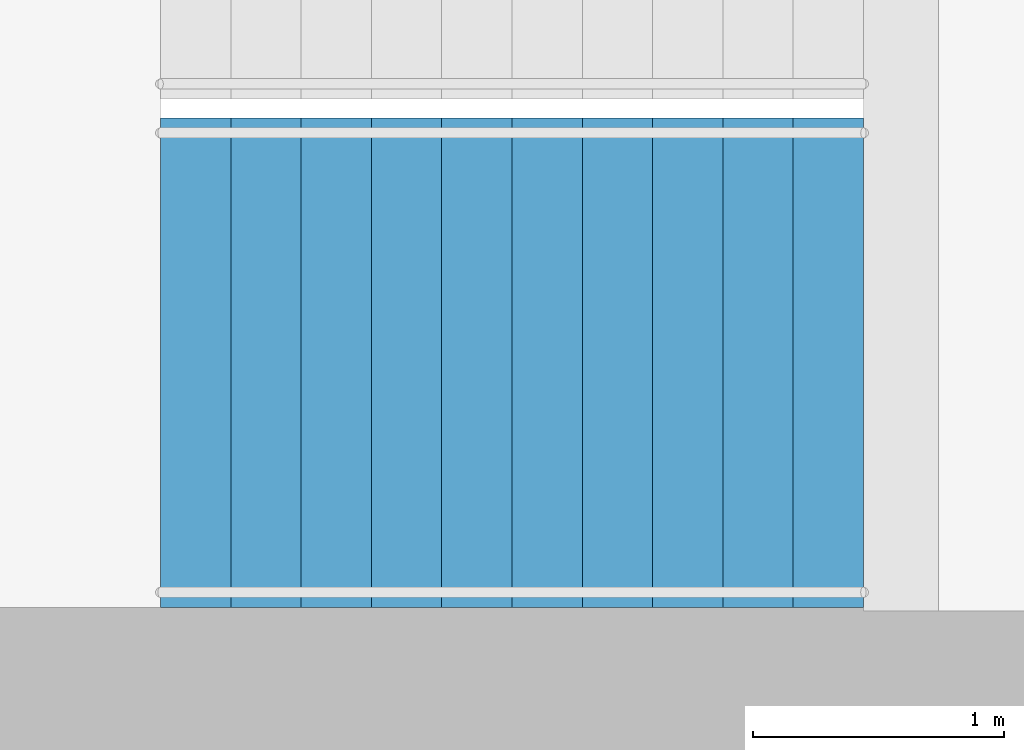
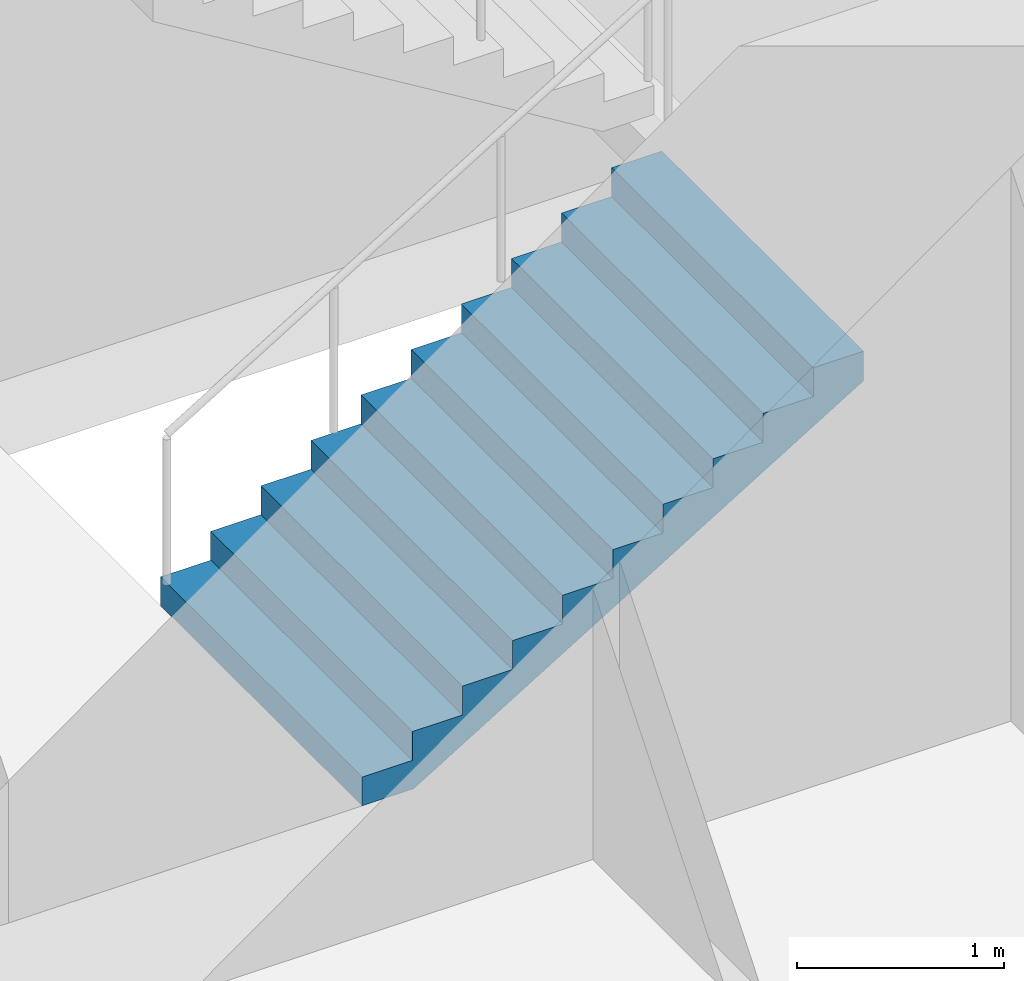
# One storey, part 20 of 25: 1 stair flight, 1 element without a shape of its own.
"""IFC4 building model written with IfcOpenShell, lengths in metres."""

from ifc_helpers import new_model, si_unit, direction, frame, origin, place, context, subcontext, project, spatial, triangles, material, type_object, element, aggregate, save


model = new_model("IFC4")

# Units and contexts
model_context = context("Model", 3, precision=1e-05, world=origin(), true_north=direction((0.0, 1.0)))
body_context = subcontext(model_context, "Body", "Model", "MODEL_VIEW")
ifc_project = project(units=[si_unit("LENGTHUNIT", "METRE"), si_unit("AREAUNIT", "SQUARE_METRE"), si_unit("VOLUMEUNIT", "CUBIC_METRE"), si_unit("PLANEANGLEUNIT", "RADIAN"), si_unit("MASSUNIT", "GRAM", prefix="KILO")], contexts=[model_context])

# Site, building, storey
site_placement = place(None, origin())
site = spatial("IfcSite", under=ifc_project, at=site_placement, CompositionType="ELEMENT")
building_placement = place(site_placement, origin())
building = spatial("IfcBuilding", under=site, at=building_placement, Name="Orbita Commons", CompositionType="ELEMENT")
storey_placement = place(building_placement, frame((0.0, 0.0, 84.39990234375)))
storey = spatial("IfcBuildingStorey", under=building, at=storey_placement, Name="L20", CompositionType="ELEMENT", Elevation=84.39990234375)

# Stair, stair flight
ifc_material_1 = material(Name="Precast concrete C40/50", Category="concrete")
stair_type = type_object("IfcStairType", Name="Exit stair S1 2 flights 11 risers 170", PredefinedType="HALF_TURN_STAIR", material=ifc_material_1)
stair_placement = place(storey_placement, origin())
stair = element("IfcStair", 1, at=stair_placement, inside=storey, type_object=stair_type, Name="Exit stair S1 L20", PredefinedType="HALF_TURN_STAIR")
ifc_material_2 = material(Name="Precast concrete C40/50", Category="concrete")
stair_flight_type = type_object("IfcStairFlightType", Name="Stair flight 11 risers 170 x 280", PredefinedType="STRAIGHT", material=ifc_material_2)
stair_flight_placement = place(storey_placement, frame((20.449951171875, 27.25, 0.0), z_axis=(0.0, 0.0, 1.0), x_axis=(1.0, 0.0, 0.0)))
stair_flight = element("IfcStairFlight", 2, at=stair_flight_placement, type_object=stair_flight_type, Name="S1 flight 1", NumberOfRisers=11, NumberOfTreads=10, PredefinedType="STRAIGHT", RiserHeight=0.170454545, TreadLength=0.28, context=body_context, shape_type="Tessellation", body=[
    triangles([(0.0, 0.974976, 0.0), (0.0, 0.974976, 0.021307), (0.0, 0.81248, 0.021307), (0.0, 0.81248, 0.0), (0.0, 0.649984, 0.021307), (0.0, 0.649984, 0.0), (0.0, 0.487488, 0.021307), (0.0, 0.487488, 0.0), (0.0, 0.324992, 0.021307), (0.0, 0.324992, 0.0), (0.0, 0.162496, 0.021307), (0.0, 0.162496, 0.0), (0.0, 0.0, 0.021307), (0.0, 0.0, 0.0), (0.0, -0.162496, 0.021307), (0.0, -0.162496, 0.0), (0.0, -0.324992, 0.021307), (0.0, -0.324992, 0.0), (0.0, -0.487488, 0.021307), (0.0, -0.487488, 0.0), (0.0, -0.649984, 0.021307), (0.0, -0.649984, 0.0), (0.0, -0.81248, 0.021307), (0.0, -0.81248, 0.0), (0.0, -0.974976, 0.021307), (0.0, -0.974976, 0.0), (0.0, 0.974976, 0.042614), (0.0, 0.81248, 0.042614), (0.0, 0.649984, 0.042614), (0.0, 0.487488, 0.042614), (0.0, 0.324992, 0.042614), (0.0, 0.162496, 0.042614), (0.0, 0.0, 0.042614), (0.0, -0.162496, 0.042614), (0.0, -0.324992, 0.042614), (0.0, -0.487488, 0.042614), (0.0, -0.649984, 0.042614), (0.0, -0.81248, 0.042614), (0.0, -0.974976, 0.042614), (0.0, 0.974976, 0.06392), (0.0, 0.81248, 0.06392), (0.0, 0.649984, 0.06392), (0.0, 0.487488, 0.06392), (0.0, 0.324992, 0.06392), (0.0, 0.162496, 0.06392), (0.0, 0.0, 0.06392), (0.0, -0.162496, 0.06392), (0.0, -0.324992, 0.06392), (0.0, -0.487488, 0.06392), (0.0, -0.649984, 0.06392), (0.0, -0.81248, 0.06392), (0.0, -0.974976, 0.06392), (0.0, 0.974976, 0.085227), (0.0, 0.81248, 0.085227), (0.0, 0.649984, 0.085227), (0.0, 0.487488, 0.085227), (0.0, 0.324992, 0.085227), (0.0, 0.162496, 0.085227), (0.0, 0.0, 0.085227), (0.0, -0.162496, 0.085227), (0.0, -0.324992, 0.085227), (0.0, -0.487488, 0.085227), (0.0, -0.649984, 0.085227), (0.0, -0.81248, 0.085227), (0.0, -0.974976, 0.085227), (0.0, 0.974976, 0.106534), (0.0, 0.81248, 0.106534), (0.0, 0.649984, 0.106534), (0.0, 0.487488, 0.106534), (0.0, 0.324992, 0.106534), (0.0, 0.162496, 0.106534), (0.0, 0.0, 0.106534), (0.0, -0.162496, 0.106534), (0.0, -0.324992, 0.106534), (0.0, -0.487488, 0.106534), (0.0, -0.649984, 0.106534), (0.0, -0.81248, 0.106534), (0.0, -0.974976, 0.106534), (0.0, 0.974976, 0.127841), (0.0, 0.81248, 0.127841), (0.0, 0.649984, 0.127841), (0.0, 0.487488, 0.127841), (0.0, 0.324992, 0.127841), (0.0, 0.162496, 0.127841), (0.0, 0.0, 0.127841), (0.0, -0.162496, 0.127841), (0.0, -0.324992, 0.127841), (0.0, -0.487488, 0.127841), (0.0, -0.649984, 0.127841), (0.0, -0.81248, 0.127841), (0.0, -0.974976, 0.127841), (0.0, 0.974976, 0.149148), (0.0, 0.81248, 0.149148), (0.0, 0.649984, 0.149148), (0.0, 0.487488, 0.149148), (0.0, 0.324992, 0.149148), (0.0, 0.162496, 0.149148), (0.0, 0.0, 0.149148), (0.0, -0.162496, 0.149148), (0.0, -0.324992, 0.149148), (0.0, -0.487488, 0.149148), (0.0, -0.649984, 0.149148), (0.0, -0.81248, 0.149148), (0.0, -0.974976, 0.149148), (0.0, 0.974976, 0.170455), (0.0, 0.81248, 0.170455), (0.0, 0.649984, 0.170455), (0.0, 0.487488, 0.170455), (0.0, 0.324992, 0.170455), (0.0, 0.162496, 0.170455), (0.0, 0.0, 0.170455), (0.0, -0.162496, 0.170455), (0.0, -0.324992, 0.170455), (0.0, -0.487488, 0.170455), (0.0, -0.649984, 0.170455), (0.0, -0.81248, 0.170455), (0.0, -0.974976, 0.170455), (0.28, 0.974976, 0.170455), (0.28, 0.81248, 0.170455), (0.28, 0.649984, 0.170455), (0.28, 0.487488, 0.170455), (0.28, 0.324992, 0.170455), (0.28, 0.162496, 0.170455), (0.28, 0.0, 0.170455), (0.28, -0.162496, 0.170455), (0.28, -0.324992, 0.170455), (0.28, -0.487488, 0.170455), (0.28, -0.649984, 0.170455), (0.28, -0.81248, 0.170455), (0.28, -0.974976, 0.170455), (0.28, 0.974976, 0.340909), (0.28, 0.81248, 0.340909), (0.28, 0.649984, 0.340909), (0.28, 0.487488, 0.340909), (0.28, 0.324992, 0.340909), (0.28, 0.162496, 0.340909), (0.28, 0.0, 0.340909), (0.28, -0.162496, 0.340909), (0.28, -0.324992, 0.340909), (0.28, -0.487488, 0.340909), (0.28, -0.649984, 0.340909), (0.28, -0.81248, 0.340909), (0.28, -0.974976, 0.340909), (0.56, 0.974976, 0.340909), (0.56, 0.81248, 0.340909), (0.56, 0.649984, 0.340909), (0.56, 0.487488, 0.340909), (0.56, 0.324992, 0.340909), (0.56, 0.162496, 0.340909), (0.56, 0.0, 0.340909), (0.56, -0.162496, 0.340909), (0.56, -0.324992, 0.340909), (0.56, -0.487488, 0.340909), (0.56, -0.649984, 0.340909), (0.56, -0.81248, 0.340909), (0.56, -0.974976, 0.340909), (0.56, 0.974976, 0.511364), (0.56, 0.81248, 0.511364), (0.56, 0.649984, 0.511364), (0.56, 0.487488, 0.511364), (0.56, 0.324992, 0.511364), (0.56, 0.162496, 0.511364), (0.56, 0.0, 0.511364), (0.56, -0.162496, 0.511364), (0.56, -0.324992, 0.511364), (0.56, -0.487488, 0.511364), (0.56, -0.649984, 0.511364), (0.56, -0.81248, 0.511364), (0.56, -0.974976, 0.511364), (0.84, 0.974976, 0.511364), (0.84, 0.81248, 0.511364), (0.84, 0.649984, 0.511364), (0.84, 0.487488, 0.511364), (0.84, 0.324992, 0.511364), (0.84, 0.162496, 0.511364), (0.84, 0.0, 0.511364), (0.84, -0.162496, 0.511364), (0.84, -0.324992, 0.511364), (0.84, -0.487488, 0.511364), (0.84, -0.649984, 0.511364), (0.84, -0.81248, 0.511364), (0.84, -0.974976, 0.511364), (0.84, 0.974976, 0.681818), (0.84, 0.81248, 0.681818), (0.84, 0.649984, 0.681818), (0.84, 0.487488, 0.681818), (0.84, 0.324992, 0.681818), (0.84, 0.162496, 0.681818), (0.84, 0.0, 0.681818), (0.84, -0.162496, 0.681818), (0.84, -0.324992, 0.681818), (0.84, -0.487488, 0.681818), (0.84, -0.649984, 0.681818), (0.84, -0.81248, 0.681818), (0.84, -0.974976, 0.681818), (1.12, 0.974976, 0.681818), (1.12, 0.81248, 0.681818), (1.12, 0.649984, 0.681818), (1.12, 0.487488, 0.681818), (1.12, 0.324992, 0.681818), (1.12, 0.162496, 0.681818), (1.12, 0.0, 0.681818), (1.12, -0.162496, 0.681818), (1.12, -0.324992, 0.681818), (1.12, -0.487488, 0.681818), (1.12, -0.649984, 0.681818), (1.12, -0.81248, 0.681818), (1.12, -0.974976, 0.681818), (1.12, 0.974976, 0.852273), (1.12, 0.81248, 0.852273), (1.12, 0.649984, 0.852273), (1.12, 0.487488, 0.852273), (1.12, 0.324992, 0.852273), (1.12, 0.162496, 0.852273), (1.12, 0.0, 0.852273), (1.12, -0.162496, 0.852273), (1.12, -0.324992, 0.852273), (1.12, -0.487488, 0.852273), (1.12, -0.649984, 0.852273), (1.12, -0.81248, 0.852273), (1.12, -0.974976, 0.852273), (1.4, 0.974976, 0.852273), (1.4, 0.81248, 0.852273), (1.4, 0.649984, 0.852273), (1.4, 0.487488, 0.852273), (1.4, 0.324992, 0.852273), (1.4, 0.162496, 0.852273), (1.4, 0.0, 0.852273), (1.4, -0.162496, 0.852273), (1.4, -0.324992, 0.852273), (1.4, -0.487488, 0.852273), (1.4, -0.649984, 0.852273), (1.4, -0.81248, 0.852273), (1.4, -0.974976, 0.852273), (1.4, 0.974976, 1.022727), (1.4, 0.81248, 1.022727), (1.4, 0.649984, 1.022727), (1.4, 0.487488, 1.022727), (1.4, 0.324992, 1.022727), (1.4, 0.162496, 1.022727), (1.4, 0.0, 1.022727), (1.4, -0.162496, 1.022727), (1.4, -0.324992, 1.022727), (1.4, -0.487488, 1.022727), (1.4, -0.649984, 1.022727), (1.4, -0.81248, 1.022727), (1.4, -0.974976, 1.022727), (1.68, 0.974976, 1.022727), (1.68, 0.81248, 1.022727), (1.68, 0.649984, 1.022727), (1.68, 0.487488, 1.022727), (1.68, 0.324992, 1.022727), (1.68, 0.162496, 1.022727), (1.68, 0.0, 1.022727), (1.68, -0.162496, 1.022727), (1.68, -0.324992, 1.022727), (1.68, -0.487488, 1.022727), (1.68, -0.649984, 1.022727), (1.68, -0.81248, 1.022727), (1.68, -0.974976, 1.022727), (1.68, 0.974976, 1.193182), (1.68, 0.81248, 1.193182), (1.68, 0.649984, 1.193182), (1.68, 0.487488, 1.193182), (1.68, 0.324992, 1.193182), (1.68, 0.162496, 1.193182), (1.68, 0.0, 1.193182), (1.68, -0.162496, 1.193182), (1.68, -0.324992, 1.193182), (1.68, -0.487488, 1.193182), (1.68, -0.649984, 1.193182), (1.68, -0.81248, 1.193182), (1.68, -0.974976, 1.193182), (1.96, 0.974976, 1.193182), (1.96, 0.81248, 1.193182), (1.96, 0.649984, 1.193182), (1.96, 0.487488, 1.193182), (1.96, 0.324992, 1.193182), (1.96, 0.162496, 1.193182), (1.96, 0.0, 1.193182), (1.96, -0.162496, 1.193182), (1.96, -0.324992, 1.193182), (1.96, -0.487488, 1.193182), (1.96, -0.649984, 1.193182), (1.96, -0.81248, 1.193182), (1.96, -0.974976, 1.193182), (1.96, 0.974976, 1.363636), (1.96, 0.81248, 1.363636), (1.96, 0.649984, 1.363636), (1.96, 0.487488, 1.363636), (1.96, 0.324992, 1.363636), (1.96, 0.162496, 1.363636), (1.96, 0.0, 1.363636), (1.96, -0.162496, 1.363636), (1.96, -0.324992, 1.363636), (1.96, -0.487488, 1.363636), (1.96, -0.649984, 1.363636), (1.96, -0.81248, 1.363636), (1.96, -0.974976, 1.363636), (2.24, 0.974976, 1.363636), (2.24, 0.81248, 1.363636), (2.24, 0.649984, 1.363636), (2.24, 0.487488, 1.363636), (2.24, 0.324992, 1.363636), (2.24, 0.162496, 1.363636), (2.24, 0.0, 1.363636), (2.24, -0.162496, 1.363636), (2.24, -0.324992, 1.363636), (2.24, -0.487488, 1.363636), (2.24, -0.649984, 1.363636), (2.24, -0.81248, 1.363636), (2.24, -0.974976, 1.363636), (2.24, 0.974976, 1.534091), (2.24, 0.81248, 1.534091), (2.24, 0.649984, 1.534091), (2.24, 0.487488, 1.534091), (2.24, 0.324992, 1.534091), (2.24, 0.162496, 1.534091), (2.24, 0.0, 1.534091), (2.24, -0.162496, 1.534091), (2.24, -0.324992, 1.534091), (2.24, -0.487488, 1.534091), (2.24, -0.649984, 1.534091), (2.24, -0.81248, 1.534091), (2.24, -0.974976, 1.534091), (2.52, 0.974976, 1.534091), (2.52, 0.81248, 1.534091), (2.52, 0.649984, 1.534091), (2.52, 0.487488, 1.534091), (2.52, 0.324992, 1.534091), (2.52, 0.162496, 1.534091), (2.52, 0.0, 1.534091), (2.52, -0.162496, 1.534091), (2.52, -0.324992, 1.534091), (2.52, -0.487488, 1.534091), (2.52, -0.649984, 1.534091), (2.52, -0.81248, 1.534091), (2.52, -0.974976, 1.534091), (2.52, 0.974976, 1.704545), (2.52, 0.81248, 1.704545), (2.52, 0.649984, 1.704545), (2.52, 0.487488, 1.704545), (2.52, 0.324992, 1.704545), (2.52, 0.162496, 1.704545), (2.52, 0.0, 1.704545), (2.52, -0.162496, 1.704545), (2.52, -0.324992, 1.704545), (2.52, -0.487488, 1.704545), (2.52, -0.649984, 1.704545), (2.52, -0.81248, 1.704545), (2.52, -0.974976, 1.704545), (2.8, 0.974976, 1.704545), (2.8, 0.81248, 1.704545), (2.8, 0.649984, 1.704545), (2.8, 0.487488, 1.704545), (2.8, 0.324992, 1.704545), (2.8, 0.162496, 1.704545), (2.8, 0.0, 1.704545), (2.8, -0.162496, 1.704545), (2.8, -0.324992, 1.704545), (2.8, -0.487488, 1.704545), (2.8, -0.649984, 1.704545), (2.8, -0.81248, 1.704545), (2.8, -0.974976, 1.704545), (2.8, 0.974976, 1.682609), (2.8, 0.81248, 1.682609), (2.8, 0.649984, 1.682609), (2.8, 0.487488, 1.682609), (2.8, 0.324992, 1.682609), (2.8, 0.162496, 1.682609), (2.8, 0.0, 1.682609), (2.8, -0.162496, 1.682609), (2.8, -0.324992, 1.682609), (2.8, -0.487488, 1.682609), (2.8, -0.649984, 1.682609), (2.8, -0.81248, 1.682609), (2.8, -0.974976, 1.682609), (2.8, 0.974976, 1.660672), (2.8, 0.81248, 1.660672), (2.8, 0.649984, 1.660672), (2.8, 0.487488, 1.660672), (2.8, 0.324992, 1.660672), (2.8, 0.162496, 1.660672), (2.8, 0.0, 1.660672), (2.8, -0.162496, 1.660672), (2.8, -0.324992, 1.660672), (2.8, -0.487488, 1.660672), (2.8, -0.649984, 1.660672), (2.8, -0.81248, 1.660672), (2.8, -0.974976, 1.660672), (2.8, 0.974976, 1.638735), (2.8, 0.81248, 1.638735), (2.8, 0.649984, 1.638735), (2.8, 0.487488, 1.638735), (2.8, 0.324992, 1.638735), (2.8, 0.162496, 1.638735), (2.8, 0.0, 1.638735), (2.8, -0.162496, 1.638735), (2.8, -0.324992, 1.638735), (2.8, -0.487488, 1.638735), (2.8, -0.649984, 1.638735), (2.8, -0.81248, 1.638735), (2.8, -0.974976, 1.638735), (2.8, 0.974976, 1.616798), (2.8, 0.81248, 1.616798), (2.8, 0.649984, 1.616798), (2.8, 0.487488, 1.616798), (2.8, 0.324992, 1.616798), (2.8, 0.162496, 1.616798), (2.8, 0.0, 1.616798), (2.8, -0.162496, 1.616798), (2.8, -0.324992, 1.616798), (2.8, -0.487488, 1.616798), (2.8, -0.649984, 1.616798), (2.8, -0.81248, 1.616798), (2.8, -0.974976, 1.616798), (2.8, 0.974976, 1.594861), (2.8, 0.81248, 1.594861), (2.8, 0.649984, 1.594861), (2.8, 0.487488, 1.594861), (2.8, 0.324992, 1.594861), (2.8, 0.162496, 1.594861), (2.8, 0.0, 1.594861), (2.8, -0.162496, 1.594861), (2.8, -0.324992, 1.594861), (2.8, -0.487488, 1.594861), (2.8, -0.649984, 1.594861), (2.8, -0.81248, 1.594861), (2.8, -0.974976, 1.594861), (2.8, 0.974976, 1.572925), (2.8, 0.81248, 1.572925), (2.8, 0.649984, 1.572925), (2.8, 0.487488, 1.572925), (2.8, 0.324992, 1.572925), (2.8, 0.162496, 1.572925), (2.8, 0.0, 1.572925), (2.8, -0.162496, 1.572925), (2.8, -0.324992, 1.572925), (2.8, -0.487488, 1.572925), (2.8, -0.649984, 1.572925), (2.8, -0.81248, 1.572925), (2.8, -0.974976, 1.572925), (2.8, 0.974976, 1.550988), (2.8, 0.81248, 1.550988), (2.8, 0.649984, 1.550988), (2.8, 0.487488, 1.550988), (2.8, 0.324992, 1.550988), (2.8, 0.162496, 1.550988), (2.8, 0.0, 1.550988), (2.8, -0.162496, 1.550988), (2.8, -0.324992, 1.550988), (2.8, -0.487488, 1.550988), (2.8, -0.649984, 1.550988), (2.8, -0.81248, 1.550988), (2.8, -0.974976, 1.550988), (2.8, 0.974976, 1.529051), (2.8, 0.81248, 1.529051), (2.8, 0.649984, 1.529051), (2.8, 0.487488, 1.529051), (2.8, 0.324992, 1.529051), (2.8, 0.162496, 1.529051), (2.8, 0.0, 1.529051), (2.8, -0.162496, 1.529051), (2.8, -0.324992, 1.529051), (2.8, -0.487488, 1.529051), (2.8, -0.649984, 1.529051), (2.8, -0.81248, 1.529051), (2.8, -0.974976, 1.529051), (0.288279, 0.974976, 0.0), (0.288279, 0.81248, 0.0), (0.288279, 0.649984, 0.0), (0.288279, 0.487488, 0.0), (0.288279, 0.324992, 0.0), (0.288279, 0.162496, 0.0), (0.288279, 0.0, 0.0), (0.288279, -0.162496, 0.0), (0.288279, -0.324992, 0.0), (0.288279, -0.487488, 0.0), (0.288279, -0.649984, 0.0), (0.288279, -0.81248, 0.0), (0.288279, -0.974976, 0.0)], [[3, 2, 1], [4, 3, 1], [5, 3, 4], [6, 5, 4], [7, 5, 6], [8, 7, 6], [9, 7, 8], [10, 9, 8], [11, 9, 10], [12, 11, 10], [13, 11, 12], [14, 13, 12], [15, 13, 14], [16, 15, 14], [17, 15, 16], [18, 17, 16], [19, 17, 18], [20, 19, 18], [21, 19, 20], [22, 21, 20], [23, 21, 22], [24, 23, 22], [25, 23, 24], [26, 25, 24], [28, 27, 2], [3, 28, 2], [29, 28, 3], [5, 29, 3], [30, 29, 5], [7, 30, 5], [31, 30, 7], [9, 31, 7], [32, 31, 9], [11, 32, 9], [33, 32, 11], [13, 33, 11], [34, 33, 13], [15, 34, 13], [35, 34, 15], [17, 35, 15], [36, 35, 17], [19, 36, 17], [37, 36, 19], [21, 37, 19], [38, 37, 21], [23, 38, 21], [39, 38, 23], [25, 39, 23], [41, 40, 27], [28, 41, 27], [42, 41, 28], [29, 42, 28], [43, 42, 29], [30, 43, 29], [44, 43, 30], [31, 44, 30], [45, 44, 31], [32, 45, 31], [46, 45, 32], [33, 46, 32], [47, 46, 33], [34, 47, 33], [48, 47, 34], [35, 48, 34], [49, 48, 35], [36, 49, 35], [50, 49, 36], [37, 50, 36], [51, 50, 37], [38, 51, 37], [52, 51, 38], [39, 52, 38], [54, 53, 40], [41, 54, 40], [55, 54, 41], [42, 55, 41], [56, 55, 42], [43, 56, 42], [57, 56, 43], [44, 57, 43], [58, 57, 44], [45, 58, 44], [59, 58, 45], [46, 59, 45], [60, 59, 46], [47, 60, 46], [61, 60, 47], [48, 61, 47], [62, 61, 48], [49, 62, 48], [63, 62, 49], [50, 63, 49], [64, 63, 50], [51, 64, 50], [65, 64, 51], [52, 65, 51], [67, 66, 53], [54, 67, 53], [68, 67, 54], [55, 68, 54], [69, 68, 55], [56, 69, 55], [70, 69, 56], [57, 70, 56], [71, 70, 57], [58, 71, 57], [72, 71, 58], [59, 72, 58], [73, 72, 59], [60, 73, 59], [74, 73, 60], [61, 74, 60], [75, 74, 61], [62, 75, 61], [76, 75, 62], [63, 76, 62], [77, 76, 63], [64, 77, 63], [78, 77, 64], [65, 78, 64], [80, 79, 66], [67, 80, 66], [81, 80, 67], [68, 81, 67], [82, 81, 68], [69, 82, 68], [83, 82, 69], [70, 83, 69], [84, 83, 70], [71, 84, 70], [85, 84, 71], [72, 85, 71], [86, 85, 72], [73, 86, 72], [87, 86, 73], [74, 87, 73], [88, 87, 74], [75, 88, 74], [89, 88, 75], [76, 89, 75], [90, 89, 76], [77, 90, 76], [91, 90, 77], [78, 91, 77], [93, 92, 79], [80, 93, 79], [94, 93, 80], [81, 94, 80], [95, 94, 81], [82, 95, 81], [96, 95, 82], [83, 96, 82], [97, 96, 83], [84, 97, 83], [98, 97, 84], [85, 98, 84], [99, 98, 85], [86, 99, 85], [100, 99, 86], [87, 100, 86], [101, 100, 87], [88, 101, 87], [102, 101, 88], [89, 102, 88], [103, 102, 89], [90, 103, 89], [104, 103, 90], [91, 104, 90], [106, 105, 92], [93, 106, 92], [107, 106, 93], [94, 107, 93], [108, 107, 94], [95, 108, 94], [109, 108, 95], [96, 109, 95], [110, 109, 96], [97, 110, 96], [111, 110, 97], [98, 111, 97], [112, 111, 98], [99, 112, 98], [113, 112, 99], [100, 113, 99], [114, 113, 100], [101, 114, 100], [115, 114, 101], [102, 115, 101], [116, 115, 102], [103, 116, 102], [117, 116, 103], [104, 117, 103], [119, 118, 105], [106, 119, 105], [120, 119, 106], [107, 120, 106], [121, 120, 107], [108, 121, 107], [122, 121, 108], [109, 122, 108], [123, 122, 109], [110, 123, 109], [124, 123, 110], [111, 124, 110], [125, 124, 111], [112, 125, 111], [126, 125, 112], [113, 126, 112], [127, 126, 113], [114, 127, 113], [128, 127, 114], [115, 128, 114], [129, 128, 115], [116, 129, 115], [130, 129, 116], [117, 130, 116], [132, 131, 118], [119, 132, 118], [133, 132, 119], [120, 133, 119], [134, 133, 120], [121, 134, 120], [135, 134, 121], [122, 135, 121], [136, 135, 122], [123, 136, 122], [137, 136, 123], [124, 137, 123], [138, 137, 124], [125, 138, 124], [139, 138, 125], [126, 139, 125], [140, 139, 126], [127, 140, 126], [141, 140, 127], [128, 141, 127], [142, 141, 128], [129, 142, 128], [143, 142, 129], [130, 143, 129], [145, 144, 131], [132, 145, 131], [146, 145, 132], [133, 146, 132], [147, 146, 133], [134, 147, 133], [148, 147, 134], [135, 148, 134], [149, 148, 135], [136, 149, 135], [150, 149, 136], [137, 150, 136], [151, 150, 137], [138, 151, 137], [152, 151, 138], [139, 152, 138], [153, 152, 139], [140, 153, 139], [154, 153, 140], [141, 154, 140], [155, 154, 141], [142, 155, 141], [156, 155, 142], [143, 156, 142], [158, 157, 144], [145, 158, 144], [159, 158, 145], [146, 159, 145], [160, 159, 146], [147, 160, 146], [161, 160, 147], [148, 161, 147], [162, 161, 148], [149, 162, 148], [163, 162, 149], [150, 163, 149], [164, 163, 150], [151, 164, 150], [165, 164, 151], [152, 165, 151], [166, 165, 152], [153, 166, 152], [167, 166, 153], [154, 167, 153], [168, 167, 154], [155, 168, 154], [169, 168, 155], [156, 169, 155], [171, 170, 157], [158, 171, 157], [172, 171, 158], [159, 172, 158], [173, 172, 159], [160, 173, 159], [174, 173, 160], [161, 174, 160], [175, 174, 161], [162, 175, 161], [176, 175, 162], [163, 176, 162], [177, 176, 163], [164, 177, 163], [178, 177, 164], [165, 178, 164], [179, 178, 165], [166, 179, 165], [180, 179, 166], [167, 180, 166], [181, 180, 167], [168, 181, 167], [182, 181, 168], [169, 182, 168], [184, 183, 170], [171, 184, 170], [185, 184, 171], [172, 185, 171], [186, 185, 172], [173, 186, 172], [187, 186, 173], [174, 187, 173], [188, 187, 174], [175, 188, 174], [189, 188, 175], [176, 189, 175], [190, 189, 176], [177, 190, 176], [191, 190, 177], [178, 191, 177], [192, 191, 178], [179, 192, 178], [193, 192, 179], [180, 193, 179], [194, 193, 180], [181, 194, 180], [195, 194, 181], [182, 195, 181], [197, 196, 183], [184, 197, 183], [198, 197, 184], [185, 198, 184], [199, 198, 185], [186, 199, 185], [200, 199, 186], [187, 200, 186], [201, 200, 187], [188, 201, 187], [202, 201, 188], [189, 202, 188], [203, 202, 189], [190, 203, 189], [204, 203, 190], [191, 204, 190], [205, 204, 191], [192, 205, 191], [206, 205, 192], [193, 206, 192], [207, 206, 193], [194, 207, 193], [208, 207, 194], [195, 208, 194], [210, 209, 196], [197, 210, 196], [211, 210, 197], [198, 211, 197], [212, 211, 198], [199, 212, 198], [213, 212, 199], [200, 213, 199], [214, 213, 200], [201, 214, 200], [215, 214, 201], [202, 215, 201], [216, 215, 202], [203, 216, 202], [217, 216, 203], [204, 217, 203], [218, 217, 204], [205, 218, 204], [219, 218, 205], [206, 219, 205], [220, 219, 206], [207, 220, 206], [221, 220, 207], [208, 221, 207], [223, 222, 209], [210, 223, 209], [224, 223, 210], [211, 224, 210], [225, 224, 211], [212, 225, 211], [226, 225, 212], [213, 226, 212], [227, 226, 213], [214, 227, 213], [228, 227, 214], [215, 228, 214], [229, 228, 215], [216, 229, 215], [230, 229, 216], [217, 230, 216], [231, 230, 217], [218, 231, 217], [232, 231, 218], [219, 232, 218], [233, 232, 219], [220, 233, 219], [234, 233, 220], [221, 234, 220], [236, 235, 222], [223, 236, 222], [237, 236, 223], [224, 237, 223], [238, 237, 224], [225, 238, 224], [239, 238, 225], [226, 239, 225], [240, 239, 226], [227, 240, 226], [241, 240, 227], [228, 241, 227], [242, 241, 228], [229, 242, 228], [243, 242, 229], [230, 243, 229], [244, 243, 230], [231, 244, 230], [245, 244, 231], [232, 245, 231], [246, 245, 232], [233, 246, 232], [247, 246, 233], [234, 247, 233], [249, 248, 235], [236, 249, 235], [250, 249, 236], [237, 250, 236], [251, 250, 237], [238, 251, 237], [252, 251, 238], [239, 252, 238], [253, 252, 239], [240, 253, 239], [254, 253, 240], [241, 254, 240], [255, 254, 241], [242, 255, 241], [256, 255, 242], [243, 256, 242], [257, 256, 243], [244, 257, 243], [258, 257, 244], [245, 258, 244], [259, 258, 245], [246, 259, 245], [260, 259, 246], [247, 260, 246], [262, 261, 248], [249, 262, 248], [263, 262, 249], [250, 263, 249], [264, 263, 250], [251, 264, 250], [265, 264, 251], [252, 265, 251], [266, 265, 252], [253, 266, 252], [267, 266, 253], [254, 267, 253], [268, 267, 254], [255, 268, 254], [269, 268, 255], [256, 269, 255], [270, 269, 256], [257, 270, 256], [271, 270, 257], [258, 271, 257], [272, 271, 258], [259, 272, 258], [273, 272, 259], [260, 273, 259], [275, 274, 261], [262, 275, 261], [276, 275, 262], [263, 276, 262], [277, 276, 263], [264, 277, 263], [278, 277, 264], [265, 278, 264], [279, 278, 265], [266, 279, 265], [280, 279, 266], [267, 280, 266], [281, 280, 267], [268, 281, 267], [282, 281, 268], [269, 282, 268], [283, 282, 269], [270, 283, 269], [284, 283, 270], [271, 284, 270], [285, 284, 271], [272, 285, 271], [286, 285, 272], [273, 286, 272], [288, 287, 274], [275, 288, 274], [289, 288, 275], [276, 289, 275], [290, 289, 276], [277, 290, 276], [291, 290, 277], [278, 291, 277], [292, 291, 278], [279, 292, 278], [293, 292, 279], [280, 293, 279], [294, 293, 280], [281, 294, 280], [295, 294, 281], [282, 295, 281], [296, 295, 282], [283, 296, 282], [297, 296, 283], [284, 297, 283], [298, 297, 284], [285, 298, 284], [299, 298, 285], [286, 299, 285], [301, 300, 287], [288, 301, 287], [302, 301, 288], [289, 302, 288], [303, 302, 289], [290, 303, 289], [304, 303, 290], [291, 304, 290], [305, 304, 291], [292, 305, 291], [306, 305, 292], [293, 306, 292], [307, 306, 293], [294, 307, 293], [308, 307, 294], [295, 308, 294], [309, 308, 295], [296, 309, 295], [310, 309, 296], [297, 310, 296], [311, 310, 297], [298, 311, 297], [312, 311, 298], [299, 312, 298], [314, 313, 300], [301, 314, 300], [315, 314, 301], [302, 315, 301], [316, 315, 302], [303, 316, 302], [317, 316, 303], [304, 317, 303], [318, 317, 304], [305, 318, 304], [319, 318, 305], [306, 319, 305], [320, 319, 306], [307, 320, 306], [321, 320, 307], [308, 321, 307], [322, 321, 308], [309, 322, 308], [323, 322, 309], [310, 323, 309], [324, 323, 310], [311, 324, 310], [325, 324, 311], [312, 325, 311], [327, 326, 313], [314, 327, 313], [328, 327, 314], [315, 328, 314], [329, 328, 315], [316, 329, 315], [330, 329, 316], [317, 330, 316], [331, 330, 317], [318, 331, 317], [332, 331, 318], [319, 332, 318], [333, 332, 319], [320, 333, 319], [334, 333, 320], [321, 334, 320], [335, 334, 321], [322, 335, 321], [336, 335, 322], [323, 336, 322], [337, 336, 323], [324, 337, 323], [338, 337, 324], [325, 338, 324], [340, 339, 326], [327, 340, 326], [341, 340, 327], [328, 341, 327], [342, 341, 328], [329, 342, 328], [343, 342, 329], [330, 343, 329], [344, 343, 330], [331, 344, 330], [345, 344, 331], [332, 345, 331], [346, 345, 332], [333, 346, 332], [347, 346, 333], [334, 347, 333], [348, 347, 334], [335, 348, 334], [349, 348, 335], [336, 349, 335], [350, 349, 336], [337, 350, 336], [351, 350, 337], [338, 351, 337], [353, 352, 339], [340, 353, 339], [354, 353, 340], [341, 354, 340], [355, 354, 341], [342, 355, 341], [356, 355, 342], [343, 356, 342], [357, 356, 343], [344, 357, 343], [358, 357, 344], [345, 358, 344], [359, 358, 345], [346, 359, 345], [360, 359, 346], [347, 360, 346], [361, 360, 347], [348, 361, 347], [362, 361, 348], [349, 362, 348], [363, 362, 349], [350, 363, 349], [364, 363, 350], [351, 364, 350], [366, 365, 352], [353, 366, 352], [367, 366, 353], [354, 367, 353], [368, 367, 354], [355, 368, 354], [369, 368, 355], [356, 369, 355], [370, 369, 356], [357, 370, 356], [371, 370, 357], [358, 371, 357], [372, 371, 358], [359, 372, 358], [373, 372, 359], [360, 373, 359], [374, 373, 360], [361, 374, 360], [375, 374, 361], [362, 375, 361], [376, 375, 362], [363, 376, 362], [377, 376, 363], [364, 377, 363], [379, 378, 365], [366, 379, 365], [380, 379, 366], [367, 380, 366], [381, 380, 367], [368, 381, 367], [382, 381, 368], [369, 382, 368], [383, 382, 369], [370, 383, 369], [384, 383, 370], [371, 384, 370], [385, 384, 371], [372, 385, 371], [386, 385, 372], [373, 386, 372], [387, 386, 373], [374, 387, 373], [388, 387, 374], [375, 388, 374], [389, 388, 375], [376, 389, 375], [390, 389, 376], [377, 390, 376], [392, 391, 378], [379, 392, 378], [393, 392, 379], [380, 393, 379], [394, 393, 380], [381, 394, 380], [395, 394, 381], [382, 395, 381], [396, 395, 382], [383, 396, 382], [397, 396, 383], [384, 397, 383], [398, 397, 384], [385, 398, 384], [399, 398, 385], [386, 399, 385], [400, 399, 386], [387, 400, 386], [401, 400, 387], [388, 401, 387], [402, 401, 388], [389, 402, 388], [403, 402, 389], [390, 403, 389], [405, 404, 391], [392, 405, 391], [406, 405, 392], [393, 406, 392], [407, 406, 393], [394, 407, 393], [408, 407, 394], [395, 408, 394], [409, 408, 395], [396, 409, 395], [410, 409, 396], [397, 410, 396], [411, 410, 397], [398, 411, 397], [412, 411, 398], [399, 412, 398], [413, 412, 399], [400, 413, 399], [414, 413, 400], [401, 414, 400], [415, 414, 401], [402, 415, 401], [416, 415, 402], [403, 416, 402], [418, 417, 404], [405, 418, 404], [419, 418, 405], [406, 419, 405], [420, 419, 406], [407, 420, 406], [421, 420, 407], [408, 421, 407], [422, 421, 408], [409, 422, 408], [423, 422, 409], [410, 423, 409], [424, 423, 410], [411, 424, 410], [425, 424, 411], [412, 425, 411], [426, 425, 412], [413, 426, 412], [427, 426, 413], [414, 427, 413], [428, 427, 414], [415, 428, 414], [429, 428, 415], [416, 429, 415], [431, 430, 417], [418, 431, 417], [432, 431, 418], [419, 432, 418], [433, 432, 419], [420, 433, 419], [434, 433, 420], [421, 434, 420], [435, 434, 421], [422, 435, 421], [436, 435, 422], [423, 436, 422], [437, 436, 423], [424, 437, 423], [438, 437, 424], [425, 438, 424], [439, 438, 425], [426, 439, 425], [440, 439, 426], [427, 440, 426], [441, 440, 427], [428, 441, 427], [442, 441, 428], [429, 442, 428], [444, 443, 430], [431, 444, 430], [445, 444, 431], [432, 445, 431], [446, 445, 432], [433, 446, 432], [447, 446, 433], [434, 447, 433], [448, 447, 434], [435, 448, 434], [449, 448, 435], [436, 449, 435], [450, 449, 436], [437, 450, 436], [451, 450, 437], [438, 451, 437], [452, 451, 438], [439, 452, 438], [453, 452, 439], [440, 453, 439], [454, 453, 440], [441, 454, 440], [455, 454, 441], [442, 455, 441], [457, 456, 443], [444, 457, 443], [458, 457, 444], [445, 458, 444], [459, 458, 445], [446, 459, 445], [460, 459, 446], [447, 460, 446], [461, 460, 447], [448, 461, 447], [462, 461, 448], [449, 462, 448], [463, 462, 449], [450, 463, 449], [464, 463, 450], [451, 464, 450], [465, 464, 451], [452, 465, 451], [466, 465, 452], [453, 466, 452], [467, 466, 453], [454, 467, 453], [468, 467, 454], [455, 468, 454], [470, 469, 456], [457, 470, 456], [471, 470, 457], [458, 471, 457], [472, 471, 458], [459, 472, 458], [473, 472, 459], [460, 473, 459], [474, 473, 460], [461, 474, 460], [475, 474, 461], [462, 475, 461], [476, 475, 462], [463, 476, 462], [477, 476, 463], [464, 477, 463], [478, 477, 464], [465, 478, 464], [479, 478, 465], [466, 479, 465], [480, 479, 466], [467, 480, 466], [481, 480, 467], [468, 481, 467], [4, 1, 469], [470, 4, 469], [6, 4, 470], [471, 6, 470], [8, 6, 471], [472, 8, 471], [10, 8, 472], [473, 10, 472], [12, 10, 473], [474, 12, 473], [14, 12, 474], [475, 14, 474], [16, 14, 475], [476, 16, 475], [18, 16, 476], [477, 18, 476], [20, 18, 477], [478, 20, 477], [22, 20, 478], [479, 22, 478], [24, 22, 479], [480, 24, 479], [26, 24, 480], [481, 26, 480], [456, 469, 1], [26, 481, 468], [443, 456, 1], [26, 468, 455], [430, 443, 1], [26, 455, 442], [417, 430, 1], [26, 442, 429], [404, 417, 1], [26, 429, 416], [391, 404, 1], [26, 416, 403], [378, 391, 1], [26, 403, 390], [365, 378, 1], [26, 390, 377], [339, 352, 365], [377, 364, 351], [326, 339, 365], [377, 351, 338], [300, 313, 326], [338, 325, 312], [300, 326, 365], [377, 338, 312], [274, 287, 300], [312, 299, 286], [274, 300, 365], [377, 312, 286], [248, 261, 274], [286, 273, 260], [248, 274, 365], [377, 286, 260], [222, 235, 248], [260, 247, 234], [222, 248, 365], [377, 260, 234], [196, 209, 222], [234, 221, 208], [196, 222, 365], [377, 234, 208], [170, 183, 196], [208, 195, 182], [170, 196, 365], [377, 208, 182], [144, 157, 170], [182, 169, 156], [144, 170, 365], [377, 182, 156], [118, 131, 144], [156, 143, 130], [118, 144, 365], [377, 156, 130], [118, 365, 1], [26, 377, 130], [92, 105, 118], [130, 117, 104], [79, 92, 118], [130, 104, 91], [66, 79, 118], [130, 91, 78], [53, 66, 118], [130, 78, 65], [40, 53, 118], [130, 65, 52], [27, 40, 118], [130, 52, 39], [2, 27, 118], [130, 39, 25], [1, 2, 118], [130, 25, 26]], closed=True),
])
aggregate(stair, [stair_flight])

save(model, "model.ifc")
